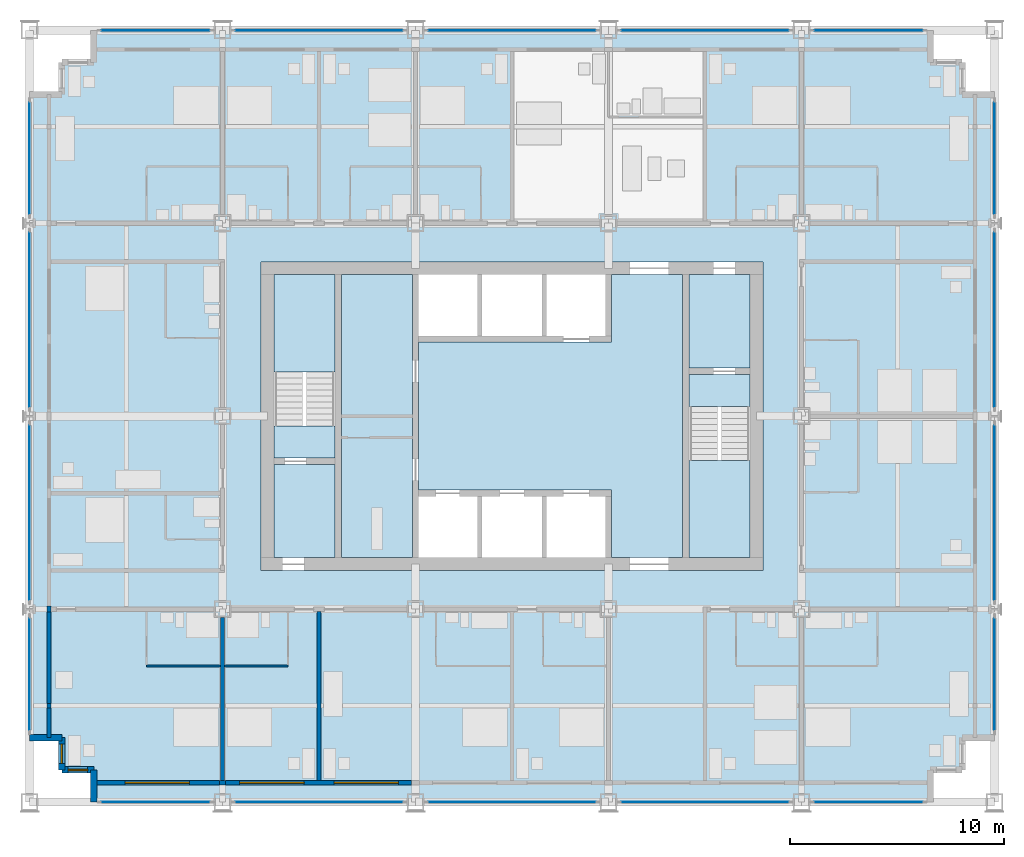
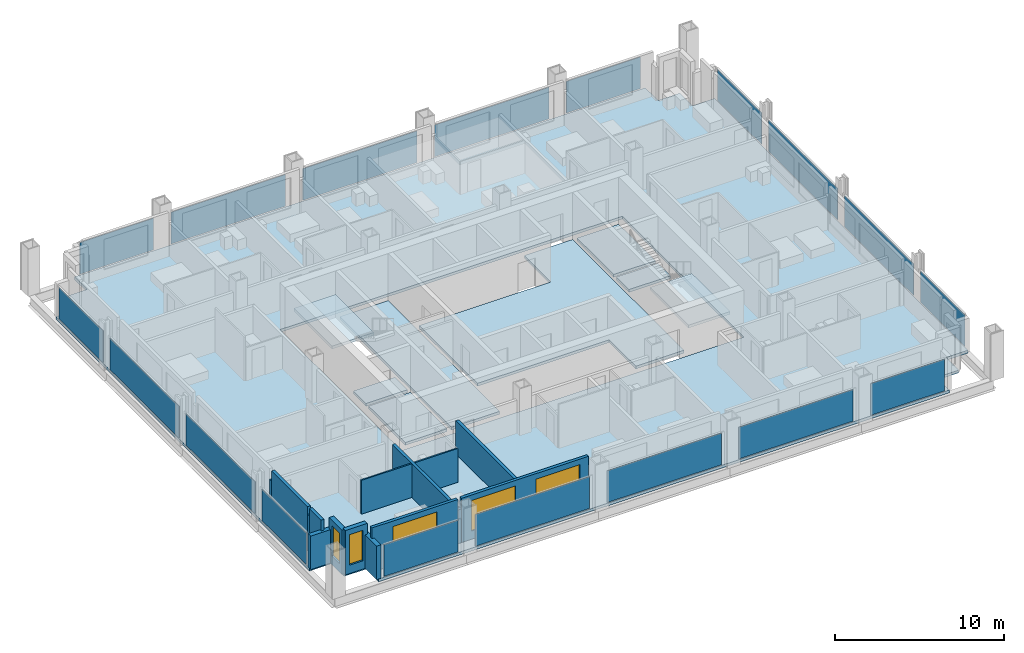
# One storey, part 8 of 16: 18 plates, 15 walls, 9 slabs, 5 windows, 5 openings, 20 elements without a shape of their own.
"""IFC4 building model written with IfcOpenShell, lengths in metres."""

from ifc_helpers import new_model, si_unit, direction, frame, frame_2d, origin, origin_2d, place, context, subcontext, project, spatial, polyline, rectangle, outline, extrude, material, layer, layer_set, type_object, element, fill, aggregate, save


model = new_model("IFC4")

# Units and contexts
model_context = context("Model", 3, precision=1e-05, world=origin(), true_north=direction((0.0, 1.0)))
body_context = subcontext(model_context, "Body", "Model", "MODEL_VIEW")
ifc_project = project(units=[si_unit("LENGTHUNIT", "METRE"), si_unit("AREAUNIT", "SQUARE_METRE"), si_unit("VOLUMEUNIT", "CUBIC_METRE"), si_unit("PLANEANGLEUNIT", "RADIAN"), si_unit("MASSUNIT", "GRAM", prefix="KILO")], contexts=[model_context])

# Site, building, storey
site_placement = place(None, origin())
site = spatial("IfcSite", under=ifc_project, at=site_placement, CompositionType="ELEMENT")
building_placement = place(site_placement, origin())
building = spatial("IfcBuilding", under=site, at=building_placement, Name="Loomwork Tower", CompositionType="ELEMENT")
storey_placement = place(building_placement, frame((0.0, 0.0, 104.39990234375)))
storey = spatial("IfcBuildingStorey", under=building, at=storey_placement, Name="L27", CompositionType="ELEMENT", Elevation=104.39990234375)

# Slabs
ifc_material_1 = material(Name="Concrete 5000 psi (34 MPa) on composite metal deck", Category="concrete")
ifc_layer_1 = layer(ifc_material_1, 0.199951171875)
ifc_layer_set_1 = layer_set([ifc_layer_1], Name="Floor slab 200")
slab_type_1 = type_object("IfcSlabType", Name="Floor slab 200", PredefinedType="FLOOR", material=ifc_layer_set_1)
slab_1_placement = place(storey_placement, frame((0.0, 0.0, -0.199951171875)))
element("IfcSlab", 1, at=slab_1_placement, inside=storey, type_object=slab_type_1, Name="Floor slab L27", PredefinedType="FLOOR", context=body_context, shape_type="SweptSolid", body=[
    extrude(outline(polyline([(3.0, 1.5), (1.5, 1.5), (1.5, 3.0), (0.0, 3.0), (0.0, 33.0), (1.5, 33.0), (1.5, 34.5), (3.0, 34.5), (3.0, 36.0), (42.0, 36.0), (42.0, 34.5), (43.5, 34.5), (43.5, 33.0), (45.0, 33.0), (45.0, 3.0), (43.5, 3.0), (43.5, 1.5), (42.0, 1.5), (42.0, 0.0), (3.0, 0.0), (3.0, 1.5)]), holes=[polyline([(10.800048828125, 11.39990234375), (10.800048828125, 11.39990234375), (10.800048828125, 10.800048828125), (34.199951171875, 10.800048828125), (34.199951171875, 11.39990234375), (34.199951171875, 11.39990234375), (34.199951171875, 24.60009765625), (34.199951171875, 25.199951171875), (10.800048828125, 25.199951171875), (10.800048828125, 24.60009765625), (10.800048828125, 11.39990234375)])]), origin(), (0.0, 0.0, 1.0), 0.199951171875),
])
slab_2_placement = place(storey_placement, frame((0.0, 0.0, -0.199951171875)))
element("IfcSlab", 2, at=slab_2_placement, inside=storey, type_object=slab_type_1, Name="Floor slab L27", PredefinedType="FLOOR", context=body_context, shape_type="SweptSolid", body=[
    extrude(outline(polyline([(30.449951171875, 24.60009765625), (30.449951171875, 11.39990234375), (27.14990234375, 11.39990234375), (27.14990234375, 14.25), (27.14990234375, 14.550048828125), (18.14990234375, 14.550048828125), (18.14990234375, 21.449951171875), (27.14990234375, 21.449951171875), (27.14990234375, 21.75), (27.14990234375, 24.60009765625), (30.449951171875, 24.60009765625)])), origin(), (0.0, 0.0, 1.0), 0.199951171875),
])
slab_3_placement = place(storey_placement, frame((0.0, 0.0, -0.199951171875)))
element("IfcSlab", 3, at=slab_3_placement, inside=storey, type_object=slab_type_1, Name="Floor slab L27", PredefinedType="FLOOR", context=body_context, shape_type="SweptSolid", body=[
    extrude(outline(polyline([(14.550048828125, 11.39990234375), (14.550048828125, 24.60009765625), (17.85009765625, 24.60009765625), (17.85009765625, 11.39990234375), (14.550048828125, 11.39990234375)])), origin(), (0.0, 0.0, 1.0), 0.199951171875),
])
slab_4_placement = place(storey_placement, frame((0.0, 0.0, -0.199951171875)))
element("IfcSlab", 4, at=slab_4_placement, inside=storey, type_object=slab_type_1, Name="Floor slab L27", PredefinedType="FLOOR", context=body_context, shape_type="SweptSolid", body=[
    extrude(outline(polyline([(33.60009765625, 20.25), (30.75, 20.25), (30.75, 24.60009765625), (33.60009765625, 24.60009765625), (33.60009765625, 20.25)])), origin(), (0.0, 0.0, 1.0), 0.199951171875),
])
slab_5_placement = place(storey_placement, frame((0.0, 0.0, -0.199951171875)))
element("IfcSlab", 5, at=slab_5_placement, inside=storey, type_object=slab_type_1, Name="Floor slab L27", PredefinedType="FLOOR", context=body_context, shape_type="SweptSolid", body=[
    extrude(outline(polyline([(14.25, 15.75), (14.25, 11.39990234375), (11.39990234375, 11.39990234375), (11.39990234375, 15.75), (14.25, 15.75)])), origin(), (0.0, 0.0, 1.0), 0.199951171875),
])

# Curtain wall, plate
ifc_material_2 = material(Name="Aluminium curtain wall frame", Category="aluminium")
curtain_wall_type = type_object("IfcCurtainWallType", Name="Outer skin glazing hotel", PredefinedType="NOTDEFINED", material=ifc_material_2)
curtain_wall_1_placement = place(storey_placement, origin())
curtain_wall_1 = element("IfcCurtainWall", 6, at=curtain_wall_1_placement, inside=storey, type_object=curtain_wall_type, Name="Outer skin glazing hotel cw/S-0", PredefinedType="NOTDEFINED")
ifc_material_3 = material(Name="Clear laminated glass", Category="glass")
ifc_layer_2 = layer(ifc_material_3, 0.02392578125)
ifc_layer_set_2 = layer_set([ifc_layer_2], Name="Outer skin glazing hotel panel")
plate_type = type_object("IfcPlateType", Name="Outer skin glazing hotel panel", PredefinedType="CURTAIN_PANEL", material=ifc_layer_set_2)
plate_1_placement = place(storey_placement, frame((5.875, 0.0, 0.06494140625), z_axis=(0.0, 0.0, 1.0), x_axis=(1.0, 0.0, 0.0)))
plate_1 = element("IfcPlate", 7, at=plate_1_placement, type_object=plate_type, Name="CW1 panel 1.1", PredefinedType="CURTAIN_PANEL", context=body_context, shape_type="SweptSolid", body=[
    extrude(rectangle(XDim=5.050048828125, YDim=0.02392578125, at=origin_2d()), origin(), (0.0, 0.0, 1.0), 2.290283203125),
])
aggregate(curtain_wall_1, [plate_1])

curtain_wall_2_placement = place(storey_placement, origin())
curtain_wall_2 = element("IfcCurtainWall", 8, at=curtain_wall_2_placement, inside=storey, type_object=curtain_wall_type, Name="Outer skin glazing hotel cw/S-9", PredefinedType="NOTDEFINED")
plate_2_placement = place(storey_placement, frame((13.5, 0.0, 0.06494140625), z_axis=(0.0, 0.0, 1.0), x_axis=(1.0, 0.0, 0.0)))
plate_2 = element("IfcPlate", 9, at=plate_2_placement, type_object=plate_type, Name="CW1 panel 1.1", PredefinedType="CURTAIN_PANEL", context=body_context, shape_type="SweptSolid", body=[
    extrude(rectangle(XDim=7.800048828125, YDim=0.02392578125, at=origin_2d()), origin(), (0.0, 0.0, 1.0), 2.290283203125),
])
aggregate(curtain_wall_2, [plate_2])

curtain_wall_3_placement = place(storey_placement, origin())
curtain_wall_3 = element("IfcCurtainWall", 10, at=curtain_wall_3_placement, inside=storey, type_object=curtain_wall_type, Name="Outer skin glazing hotel cw/S-18", PredefinedType="NOTDEFINED")
plate_3_placement = place(storey_placement, frame((22.5, 0.0, 0.06494140625), z_axis=(0.0, 0.0, 1.0), x_axis=(1.0, 0.0, 0.0)))
plate_3 = element("IfcPlate", 11, at=plate_3_placement, type_object=plate_type, Name="CW1 panel 1.1", PredefinedType="CURTAIN_PANEL", context=body_context, shape_type="SweptSolid", body=[
    extrude(rectangle(XDim=7.800048828125, YDim=0.02392578125, at=origin_2d()), origin(), (0.0, 0.0, 1.0), 2.290283203125),
])
aggregate(curtain_wall_3, [plate_3])

curtain_wall_4_placement = place(storey_placement, origin())
curtain_wall_4 = element("IfcCurtainWall", 12, at=curtain_wall_4_placement, inside=storey, type_object=curtain_wall_type, Name="Outer skin glazing hotel cw/S-27", PredefinedType="NOTDEFINED")
plate_4_placement = place(storey_placement, frame((31.5, 0.0, 0.06494140625), z_axis=(0.0, 0.0, 1.0), x_axis=(1.0, 0.0, 0.0)))
plate_4 = element("IfcPlate", 13, at=plate_4_placement, type_object=plate_type, Name="CW1 panel 1.1", PredefinedType="CURTAIN_PANEL", context=body_context, shape_type="SweptSolid", body=[
    extrude(rectangle(XDim=7.800048828125, YDim=0.02392578125, at=origin_2d()), origin(), (0.0, 0.0, 1.0), 2.290283203125),
])
aggregate(curtain_wall_4, [plate_4])

curtain_wall_5_placement = place(storey_placement, origin())
curtain_wall_5 = element("IfcCurtainWall", 14, at=curtain_wall_5_placement, inside=storey, type_object=curtain_wall_type, Name="Outer skin glazing hotel cw/S-36", PredefinedType="NOTDEFINED")
plate_5_placement = place(storey_placement, frame((39.125, 0.0, 0.06494140625), z_axis=(0.0, 0.0, 1.0), x_axis=(1.0, 0.0, 0.0)))
plate_5 = element("IfcPlate", 15, at=plate_5_placement, type_object=plate_type, Name="CW1 panel 1.1", PredefinedType="CURTAIN_PANEL", context=body_context, shape_type="SweptSolid", body=[
    extrude(rectangle(XDim=5.050048828125, YDim=0.02392578125, at=origin_2d()), origin(), (0.0, 0.0, 1.0), 2.290283203125),
])
aggregate(curtain_wall_5, [plate_5])

curtain_wall_6_placement = place(storey_placement, origin())
curtain_wall_6 = element("IfcCurtainWall", 16, at=curtain_wall_6_placement, inside=storey, type_object=curtain_wall_type, Name="Outer skin glazing hotel cw/N-0", PredefinedType="NOTDEFINED")
plate_6_placement = place(storey_placement, frame((5.875, 36.0, 0.06494140625), z_axis=(0.0, 0.0, 1.0), x_axis=(-1.0, 0.0, 0.0)))
plate_6 = element("IfcPlate", 17, at=plate_6_placement, type_object=plate_type, Name="CW1 panel 1.1", PredefinedType="CURTAIN_PANEL", context=body_context, shape_type="SweptSolid", body=[
    extrude(rectangle(XDim=5.050048828125, YDim=0.02392578125, at=origin_2d()), origin(), (0.0, 0.0, 1.0), 2.290283203125),
])
aggregate(curtain_wall_6, [plate_6])

curtain_wall_7_placement = place(storey_placement, origin())
curtain_wall_7 = element("IfcCurtainWall", 18, at=curtain_wall_7_placement, inside=storey, type_object=curtain_wall_type, Name="Outer skin glazing hotel cw/N-9", PredefinedType="NOTDEFINED")
plate_7_placement = place(storey_placement, frame((13.5, 36.0, 0.06494140625), z_axis=(0.0, 0.0, 1.0), x_axis=(-1.0, 0.0, 0.0)))
plate_7 = element("IfcPlate", 19, at=plate_7_placement, type_object=plate_type, Name="CW1 panel 1.1", PredefinedType="CURTAIN_PANEL", context=body_context, shape_type="SweptSolid", body=[
    extrude(rectangle(XDim=7.800048828125, YDim=0.02392578125, at=origin_2d()), origin(), (0.0, 0.0, 1.0), 2.290283203125),
])
aggregate(curtain_wall_7, [plate_7])

curtain_wall_8_placement = place(storey_placement, origin())
curtain_wall_8 = element("IfcCurtainWall", 20, at=curtain_wall_8_placement, inside=storey, type_object=curtain_wall_type, Name="Outer skin glazing hotel cw/N-18", PredefinedType="NOTDEFINED")
plate_8_placement = place(storey_placement, frame((22.5, 36.0, 0.06494140625), z_axis=(0.0, 0.0, 1.0), x_axis=(-1.0, 0.0, 0.0)))
plate_8 = element("IfcPlate", 21, at=plate_8_placement, type_object=plate_type, Name="CW1 panel 1.1", PredefinedType="CURTAIN_PANEL", context=body_context, shape_type="SweptSolid", body=[
    extrude(rectangle(XDim=7.800048828125, YDim=0.02392578125, at=origin_2d()), origin(), (0.0, 0.0, 1.0), 2.290283203125),
])
aggregate(curtain_wall_8, [plate_8])

curtain_wall_9_placement = place(storey_placement, origin())
curtain_wall_9 = element("IfcCurtainWall", 22, at=curtain_wall_9_placement, inside=storey, type_object=curtain_wall_type, Name="Outer skin glazing hotel cw/N-27", PredefinedType="NOTDEFINED")
plate_9_placement = place(storey_placement, frame((31.5, 36.0, 0.06494140625), z_axis=(0.0, 0.0, 1.0), x_axis=(-1.0, 0.0, 0.0)))
plate_9 = element("IfcPlate", 23, at=plate_9_placement, type_object=plate_type, Name="CW1 panel 1.1", PredefinedType="CURTAIN_PANEL", context=body_context, shape_type="SweptSolid", body=[
    extrude(rectangle(XDim=7.800048828125, YDim=0.02392578125, at=origin_2d()), origin(), (0.0, 0.0, 1.0), 2.290283203125),
])
aggregate(curtain_wall_9, [plate_9])

curtain_wall_10_placement = place(storey_placement, origin())
curtain_wall_10 = element("IfcCurtainWall", 24, at=curtain_wall_10_placement, inside=storey, type_object=curtain_wall_type, Name="Outer skin glazing hotel cw/N-36", PredefinedType="NOTDEFINED")
plate_10_placement = place(storey_placement, frame((39.125, 36.0, 0.06494140625), z_axis=(0.0, 0.0, 1.0), x_axis=(-1.0, 0.0, 0.0)))
plate_10 = element("IfcPlate", 25, at=plate_10_placement, type_object=plate_type, Name="CW1 panel 1.1", PredefinedType="CURTAIN_PANEL", context=body_context, shape_type="SweptSolid", body=[
    extrude(rectangle(XDim=5.050048828125, YDim=0.02392578125, at=origin_2d()), origin(), (0.0, 0.0, 1.0), 2.290283203125),
])
aggregate(curtain_wall_10, [plate_10])

curtain_wall_11_placement = place(storey_placement, origin())
curtain_wall_11 = element("IfcCurtainWall", 26, at=curtain_wall_11_placement, inside=storey, type_object=curtain_wall_type, Name="Outer skin glazing hotel cw/W-0", PredefinedType="NOTDEFINED")
plate_11_placement = place(storey_placement, frame((0.0, 5.962646484375, 0.06494140625), z_axis=(0.0, 0.0, 1.0), x_axis=(0.0, -1.0, 0.0)))
plate_11 = element("IfcPlate", 27, at=plate_11_placement, type_object=plate_type, Name="CW1 panel 1.1", PredefinedType="CURTAIN_PANEL", context=body_context, shape_type="SweptSolid", body=[
    extrude(rectangle(XDim=5.22509765625, YDim=0.02392578125, at=origin_2d()), origin(), (0.0, 0.0, 1.0), 2.290283203125),
])
aggregate(curtain_wall_11, [plate_11])

curtain_wall_12_placement = place(storey_placement, origin())
curtain_wall_12 = element("IfcCurtainWall", 28, at=curtain_wall_12_placement, inside=storey, type_object=curtain_wall_type, Name="Outer skin glazing hotel cw/W-9", PredefinedType="NOTDEFINED")
plate_12_placement = place(storey_placement, frame((0.0, 13.5, 0.06494140625), z_axis=(0.0, 0.0, 1.0), x_axis=(0.0, -1.0, 0.0)))
plate_12 = element("IfcPlate", 29, at=plate_12_placement, type_object=plate_type, Name="CW1 panel 1.1", PredefinedType="CURTAIN_PANEL", context=body_context, shape_type="SweptSolid", body=[
    extrude(rectangle(XDim=8.150390625, YDim=0.02392578125, at=origin_2d()), origin(), (0.0, 0.0, 1.0), 2.290283203125),
])
aggregate(curtain_wall_12, [plate_12])

curtain_wall_13_placement = place(storey_placement, origin())
curtain_wall_13 = element("IfcCurtainWall", 30, at=curtain_wall_13_placement, inside=storey, type_object=curtain_wall_type, Name="Outer skin glazing hotel cw/W-18", PredefinedType="NOTDEFINED")
plate_13_placement = place(storey_placement, frame((0.0, 22.5, 0.06494140625), z_axis=(0.0, 0.0, 1.0), x_axis=(0.0, -1.0, 0.0)))
plate_13 = element("IfcPlate", 31, at=plate_13_placement, type_object=plate_type, Name="CW1 panel 1.1", PredefinedType="CURTAIN_PANEL", context=body_context, shape_type="SweptSolid", body=[
    extrude(rectangle(XDim=8.150390625, YDim=0.02392578125, at=origin_2d()), origin(), (0.0, 0.0, 1.0), 2.290283203125),
])
aggregate(curtain_wall_13, [plate_13])

curtain_wall_14_placement = place(storey_placement, origin())
curtain_wall_14 = element("IfcCurtainWall", 32, at=curtain_wall_14_placement, inside=storey, type_object=curtain_wall_type, Name="Outer skin glazing hotel cw/W-27", PredefinedType="NOTDEFINED")
plate_14_placement = place(storey_placement, frame((0.0, 30.037353515625, 0.06494140625), z_axis=(0.0, 0.0, 1.0), x_axis=(0.0, -1.0, 0.0)))
plate_14 = element("IfcPlate", 33, at=plate_14_placement, type_object=plate_type, Name="CW1 panel 1.1", PredefinedType="CURTAIN_PANEL", context=body_context, shape_type="SweptSolid", body=[
    extrude(rectangle(XDim=5.22509765625, YDim=0.02392578125, at=origin_2d()), origin(), (0.0, 0.0, 1.0), 2.290283203125),
])
aggregate(curtain_wall_14, [plate_14])

curtain_wall_15_placement = place(storey_placement, origin())
curtain_wall_15 = element("IfcCurtainWall", 34, at=curtain_wall_15_placement, inside=storey, type_object=curtain_wall_type, Name="Outer skin glazing hotel cw/E-0", PredefinedType="NOTDEFINED")
plate_15_placement = place(storey_placement, frame((45.0, 5.962646484375, 0.06494140625), z_axis=(0.0, 0.0, 1.0), x_axis=(0.0, 1.0, 0.0)))
plate_15 = element("IfcPlate", 35, at=plate_15_placement, type_object=plate_type, Name="CW1 panel 1.1", PredefinedType="CURTAIN_PANEL", context=body_context, shape_type="SweptSolid", body=[
    extrude(rectangle(XDim=5.22509765625, YDim=0.02392578125, at=origin_2d()), origin(), (0.0, 0.0, 1.0), 2.290283203125),
])
aggregate(curtain_wall_15, [plate_15])

curtain_wall_16_placement = place(storey_placement, origin())
curtain_wall_16 = element("IfcCurtainWall", 36, at=curtain_wall_16_placement, inside=storey, type_object=curtain_wall_type, Name="Outer skin glazing hotel cw/E-9", PredefinedType="NOTDEFINED")
plate_16_placement = place(storey_placement, frame((45.0, 13.5, 0.06494140625), z_axis=(0.0, 0.0, 1.0), x_axis=(0.0, 1.0, 0.0)))
plate_16 = element("IfcPlate", 37, at=plate_16_placement, type_object=plate_type, Name="CW1 panel 1.1", PredefinedType="CURTAIN_PANEL", context=body_context, shape_type="SweptSolid", body=[
    extrude(rectangle(XDim=8.150390625, YDim=0.02392578125, at=origin_2d()), origin(), (0.0, 0.0, 1.0), 2.290283203125),
])
aggregate(curtain_wall_16, [plate_16])

curtain_wall_17_placement = place(storey_placement, origin())
curtain_wall_17 = element("IfcCurtainWall", 38, at=curtain_wall_17_placement, inside=storey, type_object=curtain_wall_type, Name="Outer skin glazing hotel cw/E-18", PredefinedType="NOTDEFINED")
plate_17_placement = place(storey_placement, frame((45.0, 22.5, 0.06494140625), z_axis=(0.0, 0.0, 1.0), x_axis=(0.0, 1.0, 0.0)))
plate_17 = element("IfcPlate", 39, at=plate_17_placement, type_object=plate_type, Name="CW1 panel 1.1", PredefinedType="CURTAIN_PANEL", context=body_context, shape_type="SweptSolid", body=[
    extrude(rectangle(XDim=8.150390625, YDim=0.02392578125, at=origin_2d()), origin(), (0.0, 0.0, 1.0), 2.290283203125),
])
aggregate(curtain_wall_17, [plate_17])

curtain_wall_18_placement = place(storey_placement, origin())
curtain_wall_18 = element("IfcCurtainWall", 40, at=curtain_wall_18_placement, inside=storey, type_object=curtain_wall_type, Name="Outer skin glazing hotel cw/E-27", PredefinedType="NOTDEFINED")
plate_18_placement = place(storey_placement, frame((45.0, 30.037353515625, 0.06494140625), z_axis=(0.0, 0.0, 1.0), x_axis=(0.0, 1.0, 0.0)))
plate_18 = element("IfcPlate", 41, at=plate_18_placement, type_object=plate_type, Name="CW1 panel 1.1", PredefinedType="CURTAIN_PANEL", context=body_context, shape_type="SweptSolid", body=[
    extrude(rectangle(XDim=5.22509765625, YDim=0.02392578125, at=origin_2d()), origin(), (0.0, 0.0, 1.0), 2.290283203125),
])
aggregate(curtain_wall_18, [plate_18])

# Stair, slabs
ifc_material_4 = material(Name="Concrete 5000 psi (34 MPa) precast stair", Category="concrete")
stair_type_1 = type_object("IfcStairType", Name="Stair ST-A 20 risers 2850 wide", PredefinedType="HALF_TURN_STAIR", material=ifc_material_4)
stair_1_placement = place(storey_placement, origin())
stair_1 = element("IfcStair", 42, at=stair_1_placement, inside=storey, type_object=stair_type_1, Name="Stair A L27", PredefinedType="HALF_TURN_STAIR")
ifc_material_5 = material(Name="Concrete 5000 psi (34 MPa)", Category="concrete")
ifc_layer_3 = layer(ifc_material_5, 0.199951171875)
ifc_layer_set_3 = layer_set([ifc_layer_3], Name="Stair landing 200")
slab_type_2 = type_object("IfcSlabType", Name="Stair landing 200", PredefinedType="LANDING", material=ifc_layer_set_3)
slab_6_placement = place(storey_placement, frame((0.0, 0.0, -0.199951171875)))
slab_6 = element("IfcSlab", 43, at=slab_6_placement, type_object=slab_type_2, Name="ST-A landing 1", PredefinedType="LANDING", context=body_context, shape_type="SweptSolid", body=[
    extrude(outline(polyline([(11.39990234375, 16.050048828125), (14.25, 16.050048828125), (14.25, 17.550048828125), (11.39990234375, 17.550048828125), (11.39990234375, 16.050048828125)])), origin(), (0.0, 0.0, 1.0), 0.199951171875),
])
slab_7_placement = place(storey_placement, frame((0.0, 0.0, 1.5)))
slab_7 = element("IfcSlab", 44, at=slab_7_placement, type_object=slab_type_2, Name="ST-A landing 2", PredefinedType="LANDING", context=body_context, shape_type="SweptSolid", body=[
    extrude(outline(polyline([(11.39990234375, 20.070068359375), (14.25, 20.070068359375), (14.25, 24.60009765625), (11.39990234375, 24.60009765625), (11.39990234375, 20.070068359375)])), origin(), (0.0, 0.0, 1.0), 0.2001953125),
])
aggregate(stair_1, [slab_6, slab_7])

ifc_material_6 = material(Name="Concrete 5000 psi (34 MPa) precast stair", Category="concrete")
stair_type_2 = type_object("IfcStairType", Name="Stair ST-B 20 risers 2850 wide", PredefinedType="HALF_TURN_STAIR", material=ifc_material_6)
stair_2_placement = place(storey_placement, origin())
stair_2 = element("IfcStair", 45, at=stair_2_placement, inside=storey, type_object=stair_type_2, Name="Stair B L27", PredefinedType="HALF_TURN_STAIR")
slab_8_placement = place(storey_placement, frame((0.0, 0.0, -0.199951171875)))
slab_8 = element("IfcSlab", 46, at=slab_8_placement, type_object=slab_type_2, Name="ST-B landing 1", PredefinedType="LANDING", context=body_context, shape_type="SweptSolid", body=[
    extrude(outline(polyline([(30.75, 18.449951171875), (33.60009765625, 18.449951171875), (33.60009765625, 19.949951171875), (30.75, 19.949951171875), (30.75, 18.449951171875)])), origin(), (0.0, 0.0, 1.0), 0.199951171875),
])
slab_9_placement = place(storey_placement, frame((0.0, 0.0, 1.5)))
slab_9 = element("IfcSlab", 47, at=slab_9_placement, type_object=slab_type_2, Name="ST-B landing 2", PredefinedType="LANDING", context=body_context, shape_type="SweptSolid", body=[
    extrude(outline(polyline([(30.75, 11.39990234375), (33.60009765625, 11.39990234375), (33.60009765625, 15.929931640625), (30.75, 15.929931640625), (30.75, 11.39990234375)])), origin(), (0.0, 0.0, 1.0), 0.2001953125),
])
aggregate(stair_2, [slab_8, slab_9])

# Walls
ifc_material_7 = material(Name="Cement board on steel studs", Category="steel")
ifc_layer_4 = layer(ifc_material_7, 0.10009765625)
ifc_layer_set_4 = layer_set([ifc_layer_4], Name="En-suite partition 100")
wall_type_1 = type_object("IfcWallType", Name="En-suite partition 100", PredefinedType="PARTITIONING", material=ifc_layer_set_4)
wall_1_placement = place(storey_placement, frame((5.449951171875, 6.35009765625, 0.0), z_axis=(0.0, 0.0, 1.0), x_axis=(1.0, 0.0, 0.0)))
element("IfcWall", 48, at=wall_1_placement, inside=storey, type_object=wall_type_1, Name="En-suite wall L27 room 1", PredefinedType="PARTITIONING", context=body_context, shape_type="SweptSolid", body=[
    extrude(rectangle(XDim=3.449951171875, YDim=0.10009765625, at=frame_2d((1.72509765625, 0.0))), origin(), (0.0, 0.0, 1.0), 2.43798828125),
])
wall_2_placement = place(storey_placement, frame((9.10009765625, 6.35009765625, 0.0), z_axis=(0.0, 0.0, 1.0), x_axis=(1.0, 0.0, 0.0)))
element("IfcWall", 49, at=wall_2_placement, inside=storey, type_object=wall_type_1, Name="En-suite wall L27 room 2", PredefinedType="PARTITIONING", context=body_context, shape_type="SweptSolid", body=[
    extrude(rectangle(XDim=2.949951171875, YDim=0.10009765625, at=frame_2d((1.47509765625, 0.0))), origin(), (0.0, 0.0, 1.0), 2.43798828125),
])
ifc_material_8 = material(Name="Gypsum board on steel studs, acoustic", Category="steel")
ifc_layer_5 = layer(ifc_material_8, 0.199951171875)
ifc_layer_set_5 = layer_set([ifc_layer_5], Name="Guest room party wall 200")
wall_type_2 = type_object("IfcWallType", Name="Guest room party wall 200", PredefinedType="PARTITIONING", material=ifc_layer_set_5)
wall_3_placement = place(storey_placement, frame((9.0, 8.60009765625, 0.0), z_axis=(0.0, 0.0, 1.0), x_axis=(0.0, -1.0, 0.0)))
element("IfcWall", 50, at=wall_3_placement, inside=storey, type_object=wall_type_2, Name="Guest room party wall S 9", PredefinedType="PARTITIONING", context=body_context, shape_type="SweptSolid", body=[
    extrude(rectangle(XDim=7.60009765625, YDim=0.199951171875, at=frame_2d((3.800048828125, 0.0))), origin(), (0.0, 0.0, 1.0), 2.43798828125),
])
wall_4_placement = place(storey_placement, frame((13.5, 8.89990234375, 0.0), z_axis=(0.0, 0.0, 1.0), x_axis=(0.0, -1.0, 0.0)))
element("IfcWall", 51, at=wall_4_placement, inside=storey, type_object=wall_type_2, Name="Guest room party wall S 13.5", PredefinedType="PARTITIONING", context=body_context, shape_type="SweptSolid", body=[
    extrude(rectangle(XDim=7.89990234375, YDim=0.199951171875, at=frame_2d((3.949951171875, 0.0))), origin(), (0.0, 0.0, 1.0), 2.404052734375),
])

# Wall, opening, window
ifc_material_9 = material(Name="Insulated steel stud wall with gypsum lining", Category="steel")
ifc_layer_6 = layer(ifc_material_9, 0.199951171875)
ifc_layer_set_6 = layer_set([ifc_layer_6], Name="Inner skin wall 200")
wall_type_3 = type_object("IfcWallType", Name="Inner skin wall 200", PredefinedType="SOLIDWALL", material=ifc_layer_set_6)
wall_5_placement = place(storey_placement, frame((3.0, 0.89990234375, 0.0), z_axis=(0.0, 0.0, 1.0), x_axis=(1.0, 0.0, 0.0)))
wall_5 = element("IfcWall", 52, at=wall_5_placement, inside=storey, type_object=wall_type_3, Name="Inner skin wall S", PredefinedType="SOLIDWALL", context=body_context, shape_type="SweptSolid", body=[
    extrude(rectangle(XDim=5.86474609375, YDim=0.199951171875, at=frame_2d((2.932373046875, 0.0))), origin(), (0.0, 0.0, 1.0), 3.2001953125),
])
opening_1_placement = place(wall_5_placement, frame((1.449951171875, 0.0, 0.60009765625)))
opening_1 = element("IfcOpeningElement", 53, at=opening_1_placement, cuts=wall_5, Name="Opening CH1", PredefinedType="OPENING", context=body_context, shape_type="SweptSolid", body=[
    extrude(rectangle(XDim=3.0, YDim=2.199951171875, at=frame_2d((1.5, 1.10009765625))), frame((0.0, 0.10986328125, 0.0), z_axis=(0.0, -1.0, 0.0), x_axis=(1.0, 0.0, 0.0)), (0.0, 0.0, 1.0), 0.219970703125),
])
ifc_material_10 = material(Name="Aluminium frame with clear insulated glass", Category="aluminium")
window_type_1 = type_object("IfcWindowType", Name="Chicago window 3000", PartitioningType="TRIPLE_PANEL_VERTICAL", PredefinedType="WINDOW", material=ifc_material_10)
window_1_placement = place(opening_1_placement, origin())
window_1 = element("IfcWindow", 54, at=window_1_placement, inside=storey, type_object=window_type_1, Name="Chicago window L27 bay 1", OverallHeight=2.199951171875, OverallWidth=3.0, PartitioningType="TRIPLE_PANEL_VERTICAL", PredefinedType="WINDOW", context=body_context, shape_type="SweptSolid", body=[
    extrude(rectangle(XDim=3.0, YDim=2.199951171875, at=frame_2d((1.5, 1.10009765625))), frame((0.0, 0.030029296875, 0.0), z_axis=(0.0, -1.0, 0.0), x_axis=(1.0, 0.0, 0.0)), (0.0, 0.0, 1.0), 0.06005859375),
])
fill(opening_1, window_1)

# Walls
wall_6_placement = place(storey_placement, frame((0.89990234375, 3.0, 0.0), z_axis=(0.0, 0.0, 1.0), x_axis=(0.0, 1.0, 0.0)))
element("IfcWall", 55, at=wall_6_placement, inside=storey, type_object=wall_type_3, Name="Inner skin wall W", PredefinedType="SOLIDWALL", context=body_context, shape_type="SweptSolid", body=[
    extrude(rectangle(XDim=1.392578125, YDim=0.199951171875, at=frame_2d((0.6962890625, 0.0))), origin(), (0.0, 0.0, 1.0), 3.2001953125),
])
wall_7_placement = place(storey_placement, frame((8.86474609375, 0.89990234375, 0.0), z_axis=(0.0, 0.0, 1.0), x_axis=(1.0, 0.0, 0.0)))
element("IfcWall", 56, at=wall_7_placement, inside=storey, type_object=wall_type_3, Name="Inner skin wall S bay 2", PredefinedType="SOLIDWALL", context=body_context, shape_type="SweptSolid", body=[
    extrude(rectangle(XDim=0.2705078125, YDim=0.199951171875, at=frame_2d((0.13525390625, 0.0))), origin(), (0.0, 0.0, 1.0), 2.43798828125),
])

# Wall, openings, windows
wall_8_placement = place(storey_placement, frame((9.13525390625, 0.89990234375, 0.0), z_axis=(0.0, 0.0, 1.0), x_axis=(1.0, 0.0, 0.0)))
wall_8 = element("IfcWall", 57, at=wall_8_placement, inside=storey, type_object=wall_type_3, Name="Inner skin wall S bay 3", PredefinedType="SOLIDWALL", context=body_context, shape_type="SweptSolid", body=[
    extrude(rectangle(XDim=8.6708984375, YDim=0.199951171875, at=frame_2d((4.33544921875, 0.0))), origin(), (0.0, 0.0, 1.0), 3.2001953125),
])
opening_2_placement = place(wall_8_placement, frame((0.664794921875, 0.0, 0.60009765625)))
opening_2 = element("IfcOpeningElement", 58, at=opening_2_placement, cuts=wall_8, Name="Opening CH1", PredefinedType="OPENING", context=body_context, shape_type="SweptSolid", body=[
    extrude(rectangle(XDim=3.0, YDim=2.199951171875, at=frame_2d((1.5, 1.10009765625))), frame((0.0, 0.10986328125, 0.0), z_axis=(0.0, -1.0, 0.0), x_axis=(1.0, 0.0, 0.0)), (0.0, 0.0, 1.0), 0.219970703125),
])
opening_3_placement = place(wall_8_placement, frame((5.064697265625, 0.0, 0.60009765625)))
opening_3 = element("IfcOpeningElement", 59, at=opening_3_placement, cuts=wall_8, Name="Opening CH1", PredefinedType="OPENING", context=body_context, shape_type="SweptSolid", body=[
    extrude(rectangle(XDim=3.0, YDim=2.199951171875, at=frame_2d((1.5, 1.10009765625))), frame((0.0, 0.10986328125, 0.0), z_axis=(0.0, -1.0, 0.0), x_axis=(1.0, 0.0, 0.0)), (0.0, 0.0, 1.0), 0.219970703125),
])
window_2_placement = place(opening_2_placement, origin())
window_2 = element("IfcWindow", 60, at=window_2_placement, inside=storey, type_object=window_type_1, Name="Chicago window L27 bay 2", OverallHeight=2.199951171875, OverallWidth=3.0, PartitioningType="TRIPLE_PANEL_VERTICAL", PredefinedType="WINDOW", context=body_context, shape_type="SweptSolid", body=[
    extrude(rectangle(XDim=3.0, YDim=2.199951171875, at=frame_2d((1.5, 1.10009765625))), frame((0.0, 0.030029296875, 0.0), z_axis=(0.0, -1.0, 0.0), x_axis=(1.0, 0.0, 0.0)), (0.0, 0.0, 1.0), 0.06005859375),
])
fill(opening_2, window_2)
window_3_placement = place(opening_3_placement, origin())
window_3 = element("IfcWindow", 61, at=window_3_placement, inside=storey, type_object=window_type_1, Name="Chicago window L27 bay 2", OverallHeight=2.199951171875, OverallWidth=3.0, PartitioningType="TRIPLE_PANEL_VERTICAL", PredefinedType="WINDOW", context=body_context, shape_type="SweptSolid", body=[
    extrude(rectangle(XDim=3.0, YDim=2.199951171875, at=frame_2d((1.5, 1.10009765625))), frame((0.0, 0.030029296875, 0.0), z_axis=(0.0, -1.0, 0.0), x_axis=(1.0, 0.0, 0.0)), (0.0, 0.0, 1.0), 0.06005859375),
])
fill(opening_3, window_3)

# Walls
wall_9_placement = place(storey_placement, frame((0.89990234375, 4.392578125, 0.0), z_axis=(0.0, 0.0, 1.0), x_axis=(0.0, 1.0, 0.0)))
element("IfcWall", 62, at=wall_9_placement, inside=storey, type_object=wall_type_3, Name="Inner skin wall W bay 2", PredefinedType="SOLIDWALL", context=body_context, shape_type="SweptSolid", body=[
    extrude(rectangle(XDim=0.21484375, YDim=0.199951171875, at=frame_2d((0.107421875, 0.0))), origin(), (0.0, 0.0, 1.0), 2.6611328125),
])
wall_10_placement = place(storey_placement, frame((0.89990234375, 4.607421875, 0.0), z_axis=(0.0, 0.0, 1.0), x_axis=(0.0, 1.0, 0.0)))
element("IfcWall", 63, at=wall_10_placement, inside=storey, type_object=wall_type_3, Name="Inner skin wall W bay 3", PredefinedType="SOLIDWALL", context=body_context, shape_type="SweptSolid", body=[
    extrude(rectangle(XDim=4.25732421875, YDim=0.199951171875, at=frame_2d((2.128662109375, 0.0))), origin(), (0.0, 0.0, 1.0), 3.2001953125),
])
wall_11_placement = place(storey_placement, frame((0.89990234375, 8.86474609375, 0.0), z_axis=(0.0, 0.0, 1.0), x_axis=(0.0, 1.0, 0.0)))
element("IfcWall", 64, at=wall_11_placement, inside=storey, type_object=wall_type_3, Name="Inner skin wall W bay 4", PredefinedType="SOLIDWALL", context=body_context, shape_type="SweptSolid", body=[
    extrude(rectangle(XDim=0.2705078125, YDim=0.199951171875, at=frame_2d((0.13525390625, 0.0))), origin(), (0.0, 0.0, 1.0), 2.43798828125),
])
ifc_material_11 = material(Name="Limestone on concrete masonry", Category="masonry")
ifc_layer_7 = layer(ifc_material_11, 0.300048828125)
ifc_layer_set_7 = layer_set([ifc_layer_7], Name="Limestone corner wall 300")
wall_type_4 = type_object("IfcWallType", Name="Limestone corner wall 300", PredefinedType="SOLIDWALL", material=ifc_layer_set_7)
wall_12_placement = place(storey_placement, frame((0.0, 3.0, 0.0), z_axis=(0.0, 0.0, 1.0), x_axis=(1.0, 0.0, 0.0)))
element("IfcWall", 65, at=wall_12_placement, inside=storey, type_object=wall_type_4, Name="Stone corner wall SW 1", PredefinedType="SOLIDWALL", context=body_context, shape_type="SweptSolid", body=[
    extrude(rectangle(XDim=1.5, YDim=0.300048828125, at=frame_2d((0.75, 0.0))), origin(), (0.0, 0.0, 1.0), 2.420166015625),
])

# Wall, opening, window
wall_13_placement = place(storey_placement, frame((1.5, 3.0, 0.0), z_axis=(0.0, 0.0, 1.0), x_axis=(0.0, -1.0, 0.0)))
wall_13 = element("IfcWall", 66, at=wall_13_placement, inside=storey, type_object=wall_type_4, Name="Stone corner wall SW 2", PredefinedType="SOLIDWALL", context=body_context, shape_type="SweptSolid", body=[
    extrude(rectangle(XDim=1.5, YDim=0.300048828125, at=frame_2d((0.75, 0.0))), origin(), (0.0, 0.0, 1.0), 3.2001953125),
])
opening_4_placement = place(wall_13_placement, frame((0.300048828125, 0.0, 0.60009765625)))
opening_4 = element("IfcOpeningElement", 67, at=opening_4_placement, cuts=wall_13, Name="Opening CH2", PredefinedType="OPENING", context=body_context, shape_type="SweptSolid", body=[
    extrude(rectangle(XDim=0.89990234375, YDim=2.199951171875, at=frame_2d((0.449951171875, 1.10009765625))), frame((0.0, 0.159912109375, 0.0), z_axis=(0.0, -1.0, 0.0), x_axis=(1.0, 0.0, 0.0)), (0.0, 0.0, 1.0), 0.320068359375),
])
ifc_material_12 = material(Name="Aluminium frame with clear insulated glass", Category="aluminium")
window_type_2 = type_object("IfcWindowType", Name="Corner window 900", PartitioningType="SINGLE_PANEL", PredefinedType="WINDOW", material=ifc_material_12)
window_4_placement = place(opening_4_placement, origin())
window_4 = element("IfcWindow", 68, at=window_4_placement, inside=storey, type_object=window_type_2, Name="Corner window SW", OverallHeight=2.199951171875, OverallWidth=0.89990234375, PartitioningType="SINGLE_PANEL", PredefinedType="WINDOW", context=body_context, shape_type="SweptSolid", body=[
    extrude(rectangle(XDim=0.89990234375, YDim=2.199951171875, at=frame_2d((0.449951171875, 1.10009765625))), frame((0.0, 0.030029296875, 0.0), z_axis=(0.0, -1.0, 0.0), x_axis=(1.0, 0.0, 0.0)), (0.0, 0.0, 1.0), 0.06005859375),
])
fill(opening_4, window_4)

wall_14_placement = place(storey_placement, frame((1.5, 1.5, 0.0), z_axis=(0.0, 0.0, 1.0), x_axis=(1.0, 0.0, 0.0)))
wall_14 = element("IfcWall", 69, at=wall_14_placement, inside=storey, type_object=wall_type_4, Name="Stone corner wall SW 3", PredefinedType="SOLIDWALL", context=body_context, shape_type="SweptSolid", body=[
    extrude(rectangle(XDim=1.5, YDim=0.300048828125, at=frame_2d((0.75, 0.0))), origin(), (0.0, 0.0, 1.0), 3.2001953125),
])
opening_5_placement = place(wall_14_placement, frame((0.300048828125, 0.0, 0.60009765625)))
opening_5 = element("IfcOpeningElement", 70, at=opening_5_placement, cuts=wall_14, Name="Opening CH2", PredefinedType="OPENING", context=body_context, shape_type="SweptSolid", body=[
    extrude(rectangle(XDim=0.89990234375, YDim=2.199951171875, at=frame_2d((0.449951171875, 1.10009765625))), frame((0.0, 0.159912109375, 0.0), z_axis=(0.0, -1.0, 0.0), x_axis=(1.0, 0.0, 0.0)), (0.0, 0.0, 1.0), 0.320068359375),
])
window_5_placement = place(opening_5_placement, origin())
window_5 = element("IfcWindow", 71, at=window_5_placement, inside=storey, type_object=window_type_2, Name="Corner window SW", OverallHeight=2.199951171875, OverallWidth=0.89990234375, PartitioningType="SINGLE_PANEL", PredefinedType="WINDOW", context=body_context, shape_type="SweptSolid", body=[
    extrude(rectangle(XDim=0.89990234375, YDim=2.199951171875, at=frame_2d((0.449951171875, 1.10009765625))), frame((0.0, 0.030029296875, 0.0), z_axis=(0.0, -1.0, 0.0), x_axis=(1.0, 0.0, 0.0)), (0.0, 0.0, 1.0), 0.06005859375),
])
fill(opening_5, window_5)

# Wall
wall_15_placement = place(storey_placement, frame((3.0, 1.5, 0.0), z_axis=(0.0, 0.0, 1.0), x_axis=(0.0, -1.0, 0.0)))
element("IfcWall", 72, at=wall_15_placement, inside=storey, type_object=wall_type_4, Name="Stone corner wall SW 4", PredefinedType="SOLIDWALL", context=body_context, shape_type="SweptSolid", body=[
    extrude(rectangle(XDim=1.5, YDim=0.300048828125, at=frame_2d((0.75, 0.0))), origin(), (0.0, 0.0, 1.0), 2.420166015625),
])

save(model, "model.ifc")
